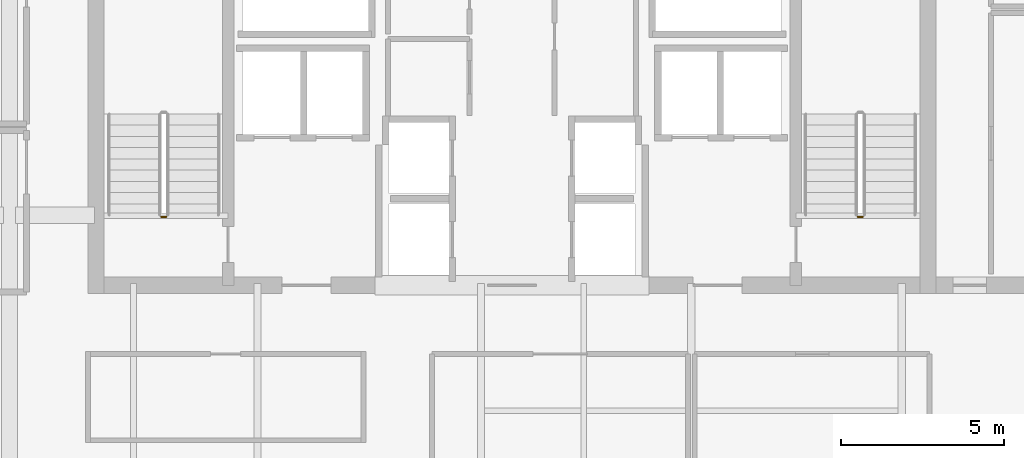
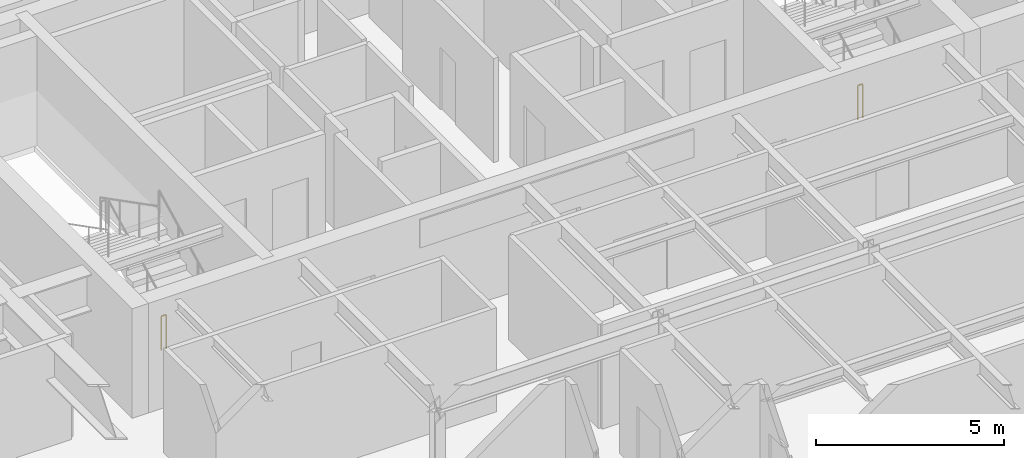
# One storey, part 9 of 11: 2 railings.
"""IFC4 building model written with IfcOpenShell, lengths in metres."""

from ifc_helpers import new_model, si_unit, direction, frame, origin, origin_2d, place, context, subcontext, project, spatial, circle, extrude, material, type_object, element, save


model = new_model("IFC4")

# Units and contexts
model_context = context("Model", 3, precision=1e-05, world=origin(), true_north=direction((0.0, 1.0)))
body_context = subcontext(model_context, "Body", "Model", "MODEL_VIEW")
ifc_project = project(units=[si_unit("LENGTHUNIT", "METRE"), si_unit("AREAUNIT", "SQUARE_METRE"), si_unit("VOLUMEUNIT", "CUBIC_METRE"), si_unit("PLANEANGLEUNIT", "RADIAN"), si_unit("MASSUNIT", "GRAM", prefix="KILO")], contexts=[model_context])

# Site, building, storey
site_placement = place(None, origin())
site = spatial("IfcSite", under=ifc_project, at=site_placement, CompositionType="ELEMENT")
building_placement = place(site_placement, origin())
building = spatial("IfcBuilding", under=site, at=building_placement, Name="Tolvann Quenvar Hotel", CompositionType="ELEMENT")
storey_placement = place(building_placement, frame((0.0, 0.0, 234.550048828125)))
storey = spatial("IfcBuildingStorey", under=building, at=storey_placement, Name="L62", CompositionType="ELEMENT", Elevation=234.550048828125)

# Railings
ifc_material = material(Name="Brushed 316 stainless steel balustrade and handrail", Category="steel")
railing_type = type_object("IfcRailingType", Name="GUARDRAIL", PredefinedType="GUARDRAIL", material=ifc_material)
for number, where, name in (
    (1, (12.39990234375, 33.949951171875, 0.0), "L62 ST-C1 stair guard 4"),
    (2, (33.75, 33.949951171875, 0.0), "L62 ST-C2 stair guard 4"),
):
    element("IfcRailing", number, at=place(storey_placement, frame(where)), inside=storey, type_object=railing_type, Name=name, PredefinedType="GUARDRAIL", context=body_context, shape_type="SweptSolid", body=[
        extrude(circle(Radius=0.02392578125, at=origin_2d()), frame((0.0, 0.0, 1.09619140625), z_axis=(-1.0, 0.0, 0.0), x_axis=(0.0, -1.0, 0.0)), (0.0, 0.0, 1.0), 0.14990234375),
        extrude(circle(Radius=0.02099609375, at=origin_2d()), origin(), (0.0, 0.0, 1.0), 1.072021484375),
        extrude(circle(Radius=0.02099609375, at=origin_2d()), frame((-0.14990234375, 0.0, 0.0)), (0.0, 0.0, 1.0), 1.072021484375),
    ])

save(model, "model.ifc")
